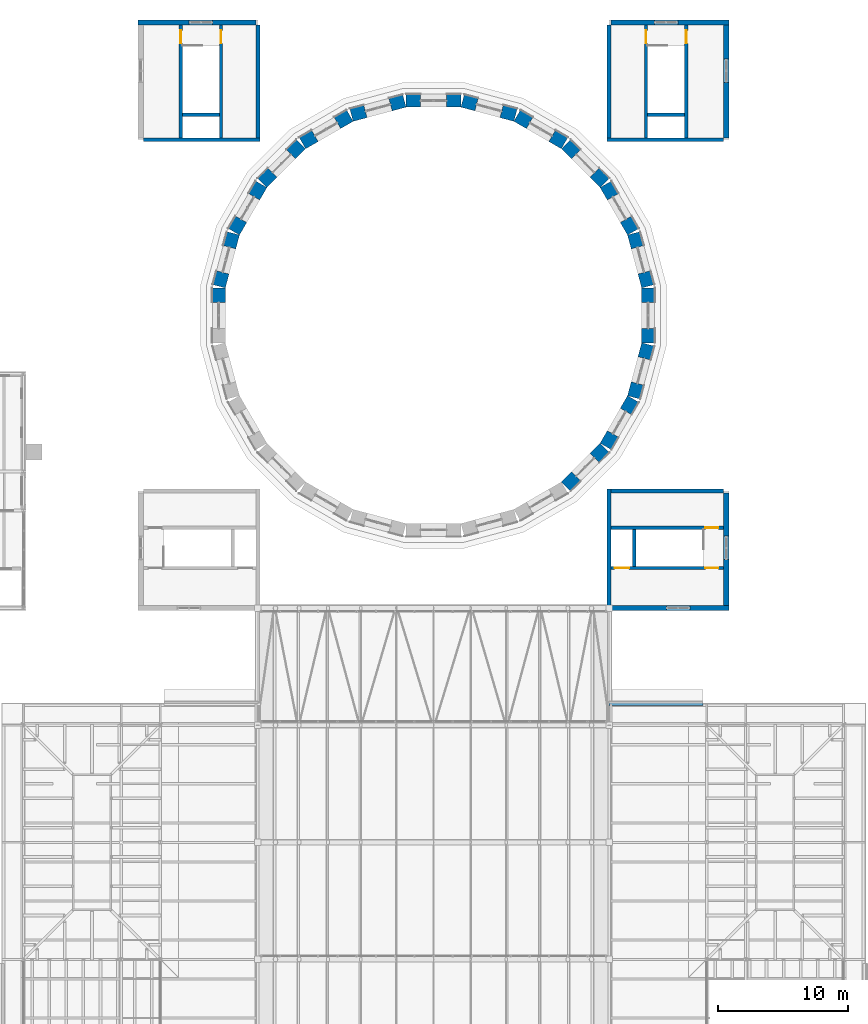
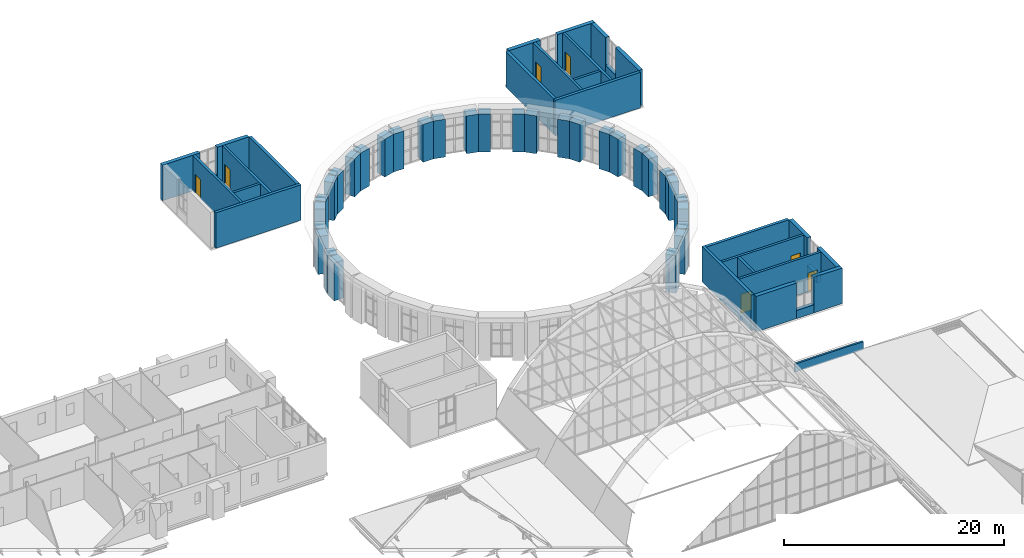
# One storey, part 96 of 121: 62 walls, 7 doors, 7 openings.
"""IFC4 building model written with IfcOpenShell, lengths in metres."""

import ifcopenshell
import ifcopenshell.guid

model = None  # the IFC model being written
_history = None  # IfcOwnerHistory: only IFC2X3 demands one
_inside = {}  # id of a spatial element -> (the spatial element, [elements in it])
_under = {}  # id of a project, library or spatial element -> (it, [spatial elements below it])
_declared = {}  # id of a project -> (the project, [libraries it declares])
_typed = {}  # id of a type object -> (the type object, [elements of that type])
_made_of = {}  # id of a material, layer set ... -> (it, [elements and type objects made of it])


def new_model(schema):
    """Start an empty IFC model of exactly this schema.

    Asked for "IFC4X3", IfcOpenShell would pick the latest addendum, in which some entities
    have other attributes; the version numbers below select the first issue.
    IFC2X3 requires an IfcOwnerHistory on every rooted entity: one is made here for all.
    """
    global model, _history
    if schema == "IFC4X3":
        model = ifcopenshell.file(schema_version=(4, 3, 0, 0))
    else:
        model = ifcopenshell.file(schema=schema)
    _inside.clear()
    _under.clear()
    _declared.clear()
    _typed.clear()
    _made_of.clear()
    _history = None
    if model.schema == "IFC2X3":
        org = make("IfcOrganization", Name="unknown")
        user = make(
            "IfcPersonAndOrganization",
            ThePerson=make("IfcPerson", FamilyName="unknown"),
            TheOrganization=org,
        )
        app = make(
            "IfcApplication",
            ApplicationDeveloper=org,
            Version="unknown",
            ApplicationFullName="unknown",
            ApplicationIdentifier="unknown",
        )
        _history = make(
            "IfcOwnerHistory",
            OwningUser=user,
            OwningApplication=app,
            ChangeAction="ADDED",
            CreationDate=0,
        )
    return model


def make(cls, **values):
    """One entity of the class cls with the attributes given. An attribute that is None is left unset."""
    return model.create_entity(
        cls, **{name: value for name, value in values.items() if value is not None}
    )


def rooted(cls, **values):
    """An entity with a GlobalId (a new one), such as an element, a storey or a relation."""
    return make(cls, GlobalId=ifcopenshell.guid.new(), OwnerHistory=_history, **values)


def si_unit(unit_type, name, prefix=None):
    """IfcSIUnit, for example si_unit("LENGTHUNIT", "METRE", prefix="MILLI")."""
    return make("IfcSIUnit", UnitType=unit_type, Prefix=prefix, Name=name)


def assignment(units):
    """IfcUnitAssignment: the units of a project."""
    return None if units is None else make("IfcUnitAssignment", Units=units)


def point(xyz):
    """IfcCartesianPoint."""
    return None if xyz is None else make("IfcCartesianPoint", Coordinates=xyz)


def direction(xyz):
    """IfcDirection."""
    return None if xyz is None else make("IfcDirection", DirectionRatios=xyz)


def frame(location, z_axis=None, x_axis=None):
    """IfcAxis2Placement3D, a coordinate frame: its origin and axes. An axis left out is left unset."""
    return make(
        "IfcAxis2Placement3D",
        Location=point(location),
        Axis=direction(z_axis),
        RefDirection=direction(x_axis),
    )


def frame_2d(location, x_axis=None):
    """IfcAxis2Placement2D, a coordinate frame in the plane: its origin and x axis."""
    return make(
        "IfcAxis2Placement2D", Location=point(location), RefDirection=direction(x_axis)
    )


def origin():
    """The frame at (0, 0, 0) with its axes left unset."""
    return frame((0.0, 0.0, 0.0))


def place(relative_to, where):
    """IfcLocalPlacement: puts the frame where relative to a parent placement (None: the world)."""
    return make(
        "IfcLocalPlacement", PlacementRelTo=relative_to, RelativePlacement=where
    )


def context(
    kind, dimensions, precision=None, world=None, true_north=None, identifier=None
):
    """IfcGeometricRepresentationContext, for example the 3D "Model" context."""
    return make(
        "IfcGeometricRepresentationContext",
        ContextIdentifier=identifier,
        ContextType=kind,
        CoordinateSpaceDimension=dimensions,
        Precision=precision,
        WorldCoordinateSystem=world,
        TrueNorth=true_north,
    )


def subcontext(parent, identifier, kind, view, scale=None):
    """IfcGeometricRepresentationSubContext, for example "Body" below "Model"."""
    return make(
        "IfcGeometricRepresentationSubContext",
        ContextIdentifier=identifier,
        ContextType=kind,
        ParentContext=parent,
        TargetScale=scale,
        TargetView=view,
    )


def project(units=None, contexts=None):
    """IfcProject with its units and contexts."""
    return rooted(
        "IfcProject",
        Name="project",
        RepresentationContexts=contexts,
        UnitsInContext=assignment(units),
    )


def spatial(cls, under=None, at=None, **own):
    """A site, building, storey or space (cls), placed at a placement, below another one or the project."""
    s = rooted(cls, ObjectPlacement=at, **own)
    if under is not None:
        _under.setdefault(under.id(), (under, []))[1].append(s)
    return s


def profile(cls, at=None, kind="AREA", **sizes):
    """A parametric profile (cls). Its sizes go by their IFC names, for example OverallWidth=200.0."""
    return make(cls, ProfileType=kind, Position=at, **sizes)


def rectangle(**sizes):
    """IfcRectangleProfileDef."""
    return profile("IfcRectangleProfileDef", **sizes)


def extrude(swept, where, along, depth):
    """IfcExtrudedAreaSolid: the profile swept, set in the frame where, extruded along a direction by depth."""
    return make(
        "IfcExtrudedAreaSolid",
        SweptArea=swept,
        Position=where,
        ExtrudedDirection=direction(along),
        Depth=depth,
    )


def shape(context_of_items, identifier, shape_type, items):
    """IfcShapeRepresentation: the items that make up one representation, for example the "Body"."""
    return make(
        "IfcShapeRepresentation",
        ContextOfItems=context_of_items,
        RepresentationIdentifier=identifier,
        RepresentationType=shape_type,
        Items=items,
    )


def material(Name=None, Category=None):
    """IfcMaterial."""
    return make("IfcMaterial", Name=Name, Category=Category)


def layer(
    of_material, thickness, ventilated=None, Name=None, Category=None, Priority=None
):
    """IfcMaterialLayer: one layer of a wall or slab, of a material (None: an air gap)."""
    return make(
        "IfcMaterialLayer",
        Material=of_material,
        LayerThickness=thickness,
        IsVentilated=ventilated,
        Name=Name,
        Category=Category,
        Priority=Priority,
    )


def layer_set(layers, Name=None):
    """IfcMaterialLayerSet."""
    return make("IfcMaterialLayerSet", MaterialLayers=layers, LayerSetName=Name)


def made_of(thing, what):
    """Note that an element or type object is made of a material, layer set ...; save() writes the relation."""
    if what is not None:
        _made_of.setdefault(what.id(), (what, []))[1].append(thing)
    return thing


def type_object(cls, material=None, **own):
    """A type object (cls), such as IfcWallType, which elements share."""
    return made_of(rooted(cls, **own), material)


def element(
    cls,
    number,
    at=None,
    inside=None,
    cuts=None,
    type_object=None,
    material=None,
    context=None,
    identifier="Body",
    shape_type=None,
    held_by="IfcProductDefinitionShape",
    body=None,
    shapes=None,
    **own,
):
    """One element of the class cls, such as IfcWall. Its Tag is "e" and its number.

    at: its placement. inside: the storey or other place that contains it. cuts: it is an
    opening in that element (IfcRelVoidsElement). A single representation is given by context,
    identifier, shape_type and body (its items); several are given by shapes. held_by: the class
    of the entity that holds the representations. save() writes the other relations.
    """
    e = rooted(cls, Tag="e%d" % number, ObjectPlacement=at, **own)
    if body is not None:
        shapes = [shape(context, identifier, shape_type, body)]
    if shapes is not None:
        e.Representation = make(held_by, Representations=shapes)
    if inside is not None:
        _inside.setdefault(inside.id(), (inside, []))[1].append(e)
    if cuts is not None:
        rooted(
            "IfcRelVoidsElement", RelatingBuildingElement=cuts, RelatedOpeningElement=e
        )
    if type_object is not None:
        _typed.setdefault(type_object.id(), (type_object, []))[1].append(e)
    return made_of(e, material)


def fill(opening, filler):
    """IfcRelFillsElement: the door or window that sits in an opening."""
    return rooted(
        "IfcRelFillsElement",
        RelatingOpeningElement=opening,
        RelatedBuildingElement=filler,
    )


def aggregate(whole, parts):
    """IfcRelAggregates: a whole, such as a stair, and the parts it consists of."""
    return rooted("IfcRelAggregates", RelatingObject=whole, RelatedObjects=parts)


def save(model, path):
    """Write the relations noted so far, then the file.

    IfcRelAggregates (storeys below a building ...), IfcRelContainedInSpatialStructure (elements
    in a storey), IfcRelDefinesByType, IfcRelAssociatesMaterial and IfcRelDeclares: one each for
    every whole, place, type object, material and project.
    """
    for whole, parts in _under.values():
        aggregate(whole, parts)
    for where, things in _inside.values():
        rooted(
            "IfcRelContainedInSpatialStructure",
            RelatedElements=things,
            RelatingStructure=where,
        )
    for kind, things in _typed.values():
        rooted("IfcRelDefinesByType", RelatedObjects=things, RelatingType=kind)
    for what, things in _made_of.values():
        rooted("IfcRelAssociatesMaterial", RelatedObjects=things, RelatingMaterial=what)
    for by, libraries in _declared.values():
        rooted("IfcRelDeclares", RelatingContext=by, RelatedDefinitions=libraries)
    model.write(path)


model = new_model("IFC4")

# Units and contexts
model_context = context("Model", 3, precision=1e-05, world=origin(), true_north=direction((0.0, 1.0)))
body_context = subcontext(model_context, "Body", "Model", "MODEL_VIEW")
ifc_project = project(units=[si_unit("LENGTHUNIT", "METRE"), si_unit("AREAUNIT", "SQUARE_METRE"), si_unit("VOLUMEUNIT", "CUBIC_METRE"), si_unit("PLANEANGLEUNIT", "RADIAN"), si_unit("MASSUNIT", "GRAM", prefix="KILO")], contexts=[model_context])

# Site, building, storey
site_placement = place(None, origin())
site = spatial("IfcSite", under=ifc_project, at=site_placement, CompositionType="ELEMENT")
building_placement = place(site_placement, origin())
building = spatial("IfcBuilding", under=site, at=building_placement, Name="Golden Quay Civic Hall", CompositionType="ELEMENT")
storey_placement = place(building_placement, frame((0.0, 0.0, 18.60009765625)))
storey = spatial("IfcBuildingStorey", under=building, at=storey_placement, Name="L04", CompositionType="ELEMENT", Elevation=18.60009765625)

# Walls
ifc_material_1 = material(Name="Brick, dark clay facing", Category="masonry")
ifc_layer_1 = layer(ifc_material_1, 0.199951171875)
ifc_layer_set_1 = layer_set([ifc_layer_1], Name="Parapet 200 x 900")
wall_type_1 = type_object("IfcWallType", Name="Parapet 200 x 900", PredefinedType="PARAPET", material=ifc_layer_set_1)
wall_1_placement = place(storey_placement, frame((99.0, 55.60009765625, 0.0), z_axis=(0.0, 0.0, 1.0), x_axis=(1.0, 0.0, 0.0)))
element("IfcWall", 1, at=wall_1_placement, inside=storey, type_object=wall_type_1, Name="Parapet 200 x 900 L04 4", PredefinedType="PARAPET", context=body_context, shape_type="SweptSolid", body=[
    extrude(rectangle(XDim=7.199951171875, YDim=0.199951171875, at=frame_2d((3.60009765625, 0.0))), origin(), (0.0, 0.0, 1.0), 0.89990234375),
])
ifc_material_2 = material(Name="Concrete C40/50", Category="concrete")
ifc_layer_2 = layer(ifc_material_2, 1.0)
ifc_layer_set_2 = layer_set([ifc_layer_2], Name="Reinforced concrete drum wall 1000, Concrete C40/50")
wall_type_2 = type_object("IfcWallType", Name="Reinforced concrete drum wall 1000", PredefinedType="SHEAR", material=ifc_layer_set_2)
for number, where, z_axis, x_axis, name in (
    (2, (101.98291015625, 87.73583984375, -0.2001953125), (0.0, 0.0, 1.0), (-0.258802254758, 0.965930325092, 0.0), "Council drum pier 1.1"),
    (3, (101.178955078125, 90.736328125, -0.2001953125), (0.0, 0.0, 1.0), (-0.258802254758, 0.965930325092, 0.0), "Council drum pier 1.2"),
    (4, (100.842529296875, 91.92578125, -0.2001953125), (0.0, 0.0, 1.0), (-0.499983483481, 0.866034939391, 0.0), "Council drum pier 2.1"),
    (5, (99.289306640625, 94.615966796875, -0.2001953125), (0.0, 0.0, 1.0), (-0.499983483481, 0.866034939391, 0.0), "Council drum pier 2.2"),
    (6, (98.65673828125, 95.677734375, -0.2001953125), (0.0, 0.0, 1.0), (-0.706996442298, 0.70721710286, 0.0), "Council drum pier 3.1"),
    (7, (96.460205078125, 97.87451171875, -0.2001953125), (0.0, 0.0, 1.0), (-0.70721710286, 0.706996442298, 0.0), "Council drum pier 3.2"),
    (8, (95.57421875, 98.736083984375, -0.2001953125), (0.0, 0.0, 1.0), (-0.866034939391, 0.499983483481, 0.0), "Council drum pier 4.1"),
    (9, (92.884033203125, 100.289306640625, -0.2001953125), (0.0, 0.0, 1.0), (-0.866034939391, 0.499983483481, 0.0), "Council drum pier 4.2"),
    (10, (91.80517578125, 100.892578125, -0.2001953125), (0.0, 0.0, 1.0), (-0.965930325092, 0.258802254758, 0.0), "Council drum pier 5.1"),
    (11, (88.8046875, 101.696533203125, -0.2001953125), (0.0, 0.0, 1.0), (-0.965930325092, 0.258802254758, 0.0), "Council drum pier 5.2"),
    (12, (87.6064453125, 102.0, -0.2001953125), (0.0, 0.0, 1.0), (-1.0, 0.0, 0.0), "Council drum pier 6.1"),
    (13, (84.5, 102.0, -0.2001953125), (0.0, 0.0, 1.0), (-1.0, 0.0, 0.0), "Council drum pier 6.2"),
    (14, (83.26416015625, 101.98291015625, -0.2001953125), (0.0, 0.0, 1.0), (-0.965930325092, -0.258802254758, 0.0), "Council drum pier 7.1"),
    (15, (80.263671875, 101.178955078125, -0.2001953125), (0.0, 0.0, 1.0), (-0.965930325092, -0.258802254758, 0.0), "Council drum pier 7.2"),
    (16, (79.07421875, 100.842529296875, -0.2001953125), (0.0, 0.0, 1.0), (-0.866034939391, -0.499983483481, 0.0), "Council drum pier 8.1"),
    (17, (76.384033203125, 99.289306640625, -0.2001953125), (0.0, 0.0, 1.0), (-0.866034939391, -0.499983483481, 0.0), "Council drum pier 8.2"),
    (18, (75.322265625, 98.65673828125, -0.2001953125), (0.0, 0.0, 1.0), (-0.70721710286, -0.706996442298, 0.0), "Council drum pier 9.1"),
    (19, (73.12548828125, 96.460205078125, -0.2001953125), (0.0, 0.0, 1.0), (-0.706996442298, -0.70721710286, 0.0), "Council drum pier 9.2"),
    (20, (72.263916015625, 95.57421875, -0.2001953125), (0.0, 0.0, 1.0), (-0.499983483481, -0.866034939391, 0.0), "Council drum pier 10.1"),
    (21, (70.710693359375, 92.884033203125, -0.2001953125), (0.0, 0.0, 1.0), (-0.499983483481, -0.866034939391, 0.0), "Council drum pier 10.2"),
    (22, (70.107421875, 91.80517578125, -0.2001953125), (0.0, 0.0, 1.0), (-0.258802254758, -0.965930325092, 0.0), "Council drum pier 11.1"),
    (23, (69.303466796875, 88.8046875, -0.2001953125), (0.0, 0.0, 1.0), (-0.258802254758, -0.965930325092, 0.0), "Council drum pier 11.2"),
    (24, (69.0, 87.6064453125, -0.2001953125), (0.0, 0.0, 1.0), (0.0, -1.0, 0.0), "Council drum pier 12.1"),
    (25, (95.677734375, 72.34326171875, -0.2001953125), (0.0, 0.0, 1.0), (0.70721710286, 0.706996442298, 0.0), "Council drum pier 21.1"),
    (26, (97.87451171875, 74.539794921875, -0.2001953125), (0.0, 0.0, 1.0), (0.706996442298, 0.70721710286, 0.0), "Council drum pier 21.2"),
    (27, (98.736083984375, 75.42578125, -0.2001953125), (0.0, 0.0, 1.0), (0.499983483481, 0.866034939391, 0.0), "Council drum pier 22.1"),
    (28, (100.289306640625, 78.115966796875, -0.2001953125), (0.0, 0.0, 1.0), (0.499983483481, 0.866034939391, 0.0), "Council drum pier 22.2"),
    (29, (100.892578125, 79.19482421875, -0.2001953125), (0.0, 0.0, 1.0), (0.258802254758, 0.965930325092, 0.0), "Council drum pier 23.1"),
    (30, (101.696533203125, 82.1953125, -0.2001953125), (0.0, 0.0, 1.0), (0.258802254758, 0.965930325092, 0.0), "Council drum pier 23.2"),
    (31, (102.0, 83.3935546875, -0.2001953125), (0.0, 0.0, 1.0), (0.0, 1.0, 0.0), "Council drum pier 24.1"),
    (32, (102.0, 86.5, -0.2001953125), (0.0, 0.0, 1.0), (0.0, 1.0, 0.0), "Council drum pier 24.2"),
):
    element("IfcWall", number, at=place(storey_placement, frame(where, z_axis=z_axis, x_axis=x_axis)), inside=storey, type_object=wall_type_2, Name=name, PredefinedType="SHEAR", context=body_context, shape_type="SweptSolid", body=[
        extrude(rectangle(XDim=1.1064453125, YDim=1.0, at=frame_2d((0.55322265625, 0.0))), origin(), (0.0, 0.0, 1.0), 4.2001953125),
    ])
ifc_material_3 = material(Name="Concrete C40/50", Category="concrete")
ifc_layer_3 = layer(ifc_material_3, 0.300048828125)
ifc_layer_set_3 = layer_set([ifc_layer_3], Name="Reinforced concrete pocket wall 300, Concrete C40/50")
wall_type_3 = type_object("IfcWallType", Name="Reinforced concrete pocket wall 300", PredefinedType="SHEAR", material=ifc_layer_set_3)
wall_2_placement = place(storey_placement, frame((99.0, 63.199951171875, 0.0), z_axis=(0.0, 0.0, 1.0), x_axis=(0.0, 1.0, 0.0)))
element("IfcWall", 33, at=wall_2_placement, inside=storey, type_object=wall_type_3, Name="Core wall SE A", PredefinedType="SHEAR", context=body_context, shape_type="SweptSolid", body=[
    extrude(rectangle(XDim=8.949951171875, YDim=0.300048828125, at=frame_2d((4.47509765625, 0.0))), origin(), (0.0, 0.0, 1.0), 3.949951171875),
])
wall_3_placement = place(storey_placement, frame((107.800048828125, 72.0, 0.0), z_axis=(0.0, 0.0, 1.0), x_axis=(-1.0, 0.0, 0.0)))
element("IfcWall", 34, at=wall_3_placement, inside=storey, type_object=wall_type_3, Name="Core wall SE B", PredefinedType="SHEAR", context=body_context, shape_type="SweptSolid", body=[
    extrude(rectangle(XDim=8.650146484375, YDim=0.300048828125, at=frame_2d((4.3251953125, 0.0))), origin(), (0.0, 0.0, 1.0), 3.949951171875),
])
wall_4_placement = place(storey_placement, frame((63.199951171875, 99.0, 0.0), z_axis=(0.0, 0.0, 1.0), x_axis=(1.0, 0.0, 0.0)))
element("IfcWall", 35, at=wall_4_placement, inside=storey, type_object=wall_type_3, Name="Core wall NW A", PredefinedType="SHEAR", context=body_context, shape_type="SweptSolid", body=[
    extrude(rectangle(XDim=8.949951171875, YDim=0.300048828125, at=frame_2d((4.47509765625, 0.0))), origin(), (0.0, 0.0, 1.0), 3.949951171875),
])
wall_5_placement = place(storey_placement, frame((72.0, 107.800048828125, 0.0), z_axis=(0.0, 0.0, 1.0), x_axis=(0.0, -1.0, 0.0)))
element("IfcWall", 36, at=wall_5_placement, inside=storey, type_object=wall_type_3, Name="Core wall NW B", PredefinedType="SHEAR", context=body_context, shape_type="SweptSolid", body=[
    extrude(rectangle(XDim=8.650146484375, YDim=0.300048828125, at=frame_2d((4.3251953125, 0.0))), origin(), (0.0, 0.0, 1.0), 3.949951171875),
])
wall_6_placement = place(storey_placement, frame((107.800048828125, 99.0, 0.0), z_axis=(0.0, 0.0, 1.0), x_axis=(-1.0, 0.0, 0.0)))
element("IfcWall", 37, at=wall_6_placement, inside=storey, type_object=wall_type_3, Name="Core wall NE A", PredefinedType="SHEAR", context=body_context, shape_type="SweptSolid", body=[
    extrude(rectangle(XDim=8.949951171875, YDim=0.300048828125, at=frame_2d((4.47509765625, 0.0))), origin(), (0.0, 0.0, 1.0), 3.949951171875),
])
wall_7_placement = place(storey_placement, frame((99.0, 107.800048828125, 0.0), z_axis=(0.0, 0.0, 1.0), x_axis=(0.0, -1.0, 0.0)))
element("IfcWall", 38, at=wall_7_placement, inside=storey, type_object=wall_type_3, Name="Core wall NE B", PredefinedType="SHEAR", context=body_context, shape_type="SweptSolid", body=[
    extrude(rectangle(XDim=8.650146484375, YDim=0.300048828125, at=frame_2d((4.3251953125, 0.0))), origin(), (0.0, 0.0, 1.0), 3.949951171875),
])

# Wall, openings, doors
ifc_material_4 = material(Name="Concrete C40/50", Category="concrete")
ifc_layer_4 = layer(ifc_material_4, 0.25)
ifc_layer_set_4 = layer_set([ifc_layer_4], Name="Reinforced concrete shaft wall 250, Concrete C40/50")
wall_type_4 = type_object("IfcWallType", Name="Reinforced concrete shaft wall 250", PredefinedType="SHEAR", material=ifc_layer_set_4)
wall_8_placement = place(storey_placement, frame((107.800048828125, 66.074951171875, 0.0), z_axis=(0.0, 0.0, 1.0), x_axis=(-1.0, 0.0, 0.0)))
wall_8 = element("IfcWall", 39, at=wall_8_placement, inside=storey, type_object=wall_type_4, Name="Shaft wall SE 1", PredefinedType="SHEAR", context=body_context, shape_type="SweptSolid", body=[
    extrude(rectangle(XDim=8.650146484375, YDim=0.25, at=frame_2d((4.3251953125, 0.0))), origin(), (0.0, 0.0, 1.0), 3.949951171875),
])
opening_1_placement = place(wall_8_placement, frame((0.39990234375, 0.0, 0.0)))
opening_1 = element("IfcOpeningElement", 40, at=opening_1_placement, cuts=wall_8, Name="Opening L04-D064", PredefinedType="OPENING", context=body_context, shape_type="SweptSolid", body=[
    extrude(rectangle(XDim=1.0, YDim=2.10009765625, at=frame_2d((0.5, 1.050048828125))), frame((0.0, 0.135009765625, 0.0), z_axis=(0.0, -1.0, 0.0), x_axis=(1.0, 0.0, 0.0)), (0.0, 0.0, 1.0), 0.27001953125),
])
opening_2_placement = place(wall_8_placement, frame((7.27490234375, 0.0, 0.0)))
opening_2 = element("IfcOpeningElement", 41, at=opening_2_placement, cuts=wall_8, Name="Opening L04-D066", PredefinedType="OPENING", context=body_context, shape_type="SweptSolid", body=[
    extrude(rectangle(XDim=1.10009765625, YDim=2.10009765625, at=frame_2d((0.550048828125, 1.050048828125))), frame((0.0, 0.135009765625, 0.0), z_axis=(0.0, -1.0, 0.0), x_axis=(1.0, 0.0, 0.0)), (0.0, 0.0, 1.0), 0.27001953125),
])
ifc_material_5 = material(Name="Steel", Category="steel")
door_type_1 = type_object("IfcDoorType", Name="Lift landing door 1100 x 2100", OperationType="SLIDING_TO_LEFT", PredefinedType="DOOR", material=ifc_material_5)
door_1_placement = place(opening_2_placement, origin())
door_1 = element("IfcDoor", 42, at=door_1_placement, inside=storey, type_object=door_type_1, Name="Lift SE landing door", OperationType="SLIDING_TO_LEFT", OverallHeight=2.10009765625, OverallWidth=1.10009765625, PredefinedType="DOOR", context=body_context, shape_type="SweptSolid", body=[
    extrude(rectangle(XDim=1.10009765625, YDim=2.10009765625, at=frame_2d((0.550048828125, 1.050048828125))), frame((0.0, 0.02490234375, 0.0), z_axis=(0.0, -1.0, 0.0), x_axis=(1.0, 0.0, 0.0)), (0.0, 0.0, 1.0), 0.050048828125),
])
fill(opening_2, door_1)
ifc_material_6 = material(Name="Steel", Category="steel")
door_type_2 = type_object("IfcDoorType", Name="Steel fire door FD60 1100 x 2100", OperationType="SINGLE_SWING_LEFT", PredefinedType="DOOR", material=ifc_material_6)
door_2_placement = place(opening_1_placement, frame((1.0, 0.0, 0.0), z_axis=(0.0, 0.0, 1.0), x_axis=(-1.0, 0.0, 0.0)))
door_2 = element("IfcDoor", 43, at=door_2_placement, inside=storey, type_object=door_type_2, Name="Stair door SE", OperationType="SINGLE_SWING_RIGHT", OverallHeight=2.10009765625, OverallWidth=1.0, PredefinedType="DOOR", context=body_context, shape_type="SweptSolid", body=[
    extrude(rectangle(XDim=1.0, YDim=2.10009765625, at=frame_2d((0.5, 1.050048828125))), frame((0.0, 0.025146484375, 0.0), z_axis=(0.0, -1.0, 0.0), x_axis=(1.0, 0.0, 0.0)), (0.0, 0.0, 1.0), 0.050048828125),
])
fill(opening_1, door_2)

# Wall, opening, door
wall_9_placement = place(storey_placement, frame((107.800048828125, 69.175048828125, 0.0), z_axis=(0.0, 0.0, 1.0), x_axis=(-1.0, 0.0, 0.0)))
wall_9 = element("IfcWall", 44, at=wall_9_placement, inside=storey, type_object=wall_type_4, Name="Shaft wall SE 2", PredefinedType="SHEAR", context=body_context, shape_type="SweptSolid", body=[
    extrude(rectangle(XDim=8.650146484375, YDim=0.25, at=frame_2d((4.3251953125, 0.0))), origin(), (0.0, 0.0, 1.0), 3.949951171875),
])
opening_3_placement = place(wall_9_placement, frame((0.39990234375, 0.0, 0.0)))
opening_3 = element("IfcOpeningElement", 45, at=opening_3_placement, cuts=wall_9, Name="Opening L04-D065", PredefinedType="OPENING", context=body_context, shape_type="SweptSolid", body=[
    extrude(rectangle(XDim=1.0, YDim=2.10009765625, at=frame_2d((0.5, 1.050048828125))), frame((0.0, 0.135009765625, 0.0), z_axis=(0.0, -1.0, 0.0), x_axis=(1.0, 0.0, 0.0)), (0.0, 0.0, 1.0), 0.27001953125),
])
door_3_placement = place(opening_3_placement, origin())
door_3 = element("IfcDoor", 46, at=door_3_placement, inside=storey, type_object=door_type_2, Name="Stair door SE north", OperationType="SINGLE_SWING_LEFT", OverallHeight=2.10009765625, OverallWidth=1.0, PredefinedType="DOOR", context=body_context, shape_type="SweptSolid", body=[
    extrude(rectangle(XDim=1.0, YDim=2.10009765625, at=frame_2d((0.5, 1.050048828125))), frame((0.0, 0.02490234375, 0.0), z_axis=(0.0, -1.0, 0.0), x_axis=(1.0, 0.0, 0.0)), (0.0, 0.0, 1.0), 0.050048828125),
])
fill(opening_3, door_3)

# Wall
wall_10_placement = place(storey_placement, frame((100.925048828125, 66.199951171875, 0.0), z_axis=(0.0, 0.0, 1.0), x_axis=(0.0, 1.0, 0.0)))
element("IfcWall", 47, at=wall_10_placement, inside=storey, type_object=wall_type_4, Name="Shaft wall SE 3", PredefinedType="SHEAR", context=body_context, shape_type="SweptSolid", body=[
    extrude(rectangle(XDim=2.85009765625, YDim=0.25, at=frame_2d((1.425048828125, 0.0))), origin(), (0.0, 0.0, 1.0), 3.949951171875),
])

# Wall, opening, door
wall_11_placement = place(storey_placement, frame((66.074951171875, 107.800048828125, 0.0), z_axis=(0.0, 0.0, 1.0), x_axis=(0.0, -1.0, 0.0)))
wall_11 = element("IfcWall", 48, at=wall_11_placement, inside=storey, type_object=wall_type_4, Name="Shaft wall NW 1", PredefinedType="SHEAR", context=body_context, shape_type="SweptSolid", body=[
    extrude(rectangle(XDim=8.650146484375, YDim=0.25, at=frame_2d((4.3251953125, 0.0))), origin(), (0.0, 0.0, 1.0), 3.949951171875),
])
opening_4_placement = place(wall_11_placement, frame((0.39990234375, 0.0, 0.0)))
opening_4 = element("IfcOpeningElement", 49, at=opening_4_placement, cuts=wall_11, Name="Opening L04-D067", PredefinedType="OPENING", context=body_context, shape_type="SweptSolid", body=[
    extrude(rectangle(XDim=1.0, YDim=2.10009765625, at=frame_2d((0.5, 1.050048828125))), frame((0.0, 0.135009765625, 0.0), z_axis=(0.0, -1.0, 0.0), x_axis=(1.0, 0.0, 0.0)), (0.0, 0.0, 1.0), 0.27001953125),
])
door_4_placement = place(opening_4_placement, origin())
door_4 = element("IfcDoor", 50, at=door_4_placement, inside=storey, type_object=door_type_2, Name="Stair door NW", OperationType="SINGLE_SWING_LEFT", OverallHeight=2.10009765625, OverallWidth=1.0, PredefinedType="DOOR", context=body_context, shape_type="SweptSolid", body=[
    extrude(rectangle(XDim=1.0, YDim=2.10009765625, at=frame_2d((0.5, 1.050048828125))), frame((0.0, 0.02490234375, 0.0), z_axis=(0.0, -1.0, 0.0), x_axis=(1.0, 0.0, 0.0)), (0.0, 0.0, 1.0), 0.050048828125),
])
fill(opening_4, door_4)

wall_12_placement = place(storey_placement, frame((69.175048828125, 107.800048828125, 0.0), z_axis=(0.0, 0.0, 1.0), x_axis=(0.0, -1.0, 0.0)))
wall_12 = element("IfcWall", 51, at=wall_12_placement, inside=storey, type_object=wall_type_4, Name="Shaft wall NW 2", PredefinedType="SHEAR", context=body_context, shape_type="SweptSolid", body=[
    extrude(rectangle(XDim=8.650146484375, YDim=0.25, at=frame_2d((4.3251953125, 0.0))), origin(), (0.0, 0.0, 1.0), 3.949951171875),
])
opening_5_placement = place(wall_12_placement, frame((0.39990234375, 0.0, 0.0)))
opening_5 = element("IfcOpeningElement", 52, at=opening_5_placement, cuts=wall_12, Name="Opening L04-D068", PredefinedType="OPENING", context=body_context, shape_type="SweptSolid", body=[
    extrude(rectangle(XDim=1.0, YDim=2.10009765625, at=frame_2d((0.5, 1.050048828125))), frame((0.0, 0.135009765625, 0.0), z_axis=(0.0, -1.0, 0.0), x_axis=(1.0, 0.0, 0.0)), (0.0, 0.0, 1.0), 0.27001953125),
])
door_5_placement = place(opening_5_placement, frame((1.0, 0.0, 0.0), z_axis=(0.0, 0.0, 1.0), x_axis=(-1.0, 0.0, 0.0)))
door_5 = element("IfcDoor", 53, at=door_5_placement, inside=storey, type_object=door_type_2, Name="Stair door NW north", OperationType="SINGLE_SWING_RIGHT", OverallHeight=2.10009765625, OverallWidth=1.0, PredefinedType="DOOR", context=body_context, shape_type="SweptSolid", body=[
    extrude(rectangle(XDim=1.0, YDim=2.10009765625, at=frame_2d((0.5, 1.050048828125))), frame((0.0, 0.025146484375, 0.0), z_axis=(0.0, -1.0, 0.0), x_axis=(1.0, 0.0, 0.0)), (0.0, 0.0, 1.0), 0.050048828125),
])
fill(opening_5, door_5)

# Wall
wall_13_placement = place(storey_placement, frame((66.199951171875, 100.925048828125, 0.0), z_axis=(0.0, 0.0, 1.0), x_axis=(1.0, 0.0, 0.0)))
element("IfcWall", 54, at=wall_13_placement, inside=storey, type_object=wall_type_4, Name="Shaft wall NW 3", PredefinedType="SHEAR", context=body_context, shape_type="SweptSolid", body=[
    extrude(rectangle(XDim=2.85009765625, YDim=0.25, at=frame_2d((1.425048828125, 0.0))), origin(), (0.0, 0.0, 1.0), 3.949951171875),
])

# Wall, opening, door
wall_14_placement = place(storey_placement, frame((104.925048828125, 107.800048828125, 0.0), z_axis=(0.0, 0.0, 1.0), x_axis=(0.0, -1.0, 0.0)))
wall_14 = element("IfcWall", 55, at=wall_14_placement, inside=storey, type_object=wall_type_4, Name="Shaft wall NE 1", PredefinedType="SHEAR", context=body_context, shape_type="SweptSolid", body=[
    extrude(rectangle(XDim=8.650146484375, YDim=0.25, at=frame_2d((4.3251953125, 0.0))), origin(), (0.0, 0.0, 1.0), 3.949951171875),
])
opening_6_placement = place(wall_14_placement, frame((0.39990234375, 0.0, 0.0)))
opening_6 = element("IfcOpeningElement", 56, at=opening_6_placement, cuts=wall_14, Name="Opening L04-D069", PredefinedType="OPENING", context=body_context, shape_type="SweptSolid", body=[
    extrude(rectangle(XDim=1.0, YDim=2.10009765625, at=frame_2d((0.5, 1.050048828125))), frame((0.0, 0.135009765625, 0.0), z_axis=(0.0, -1.0, 0.0), x_axis=(1.0, 0.0, 0.0)), (0.0, 0.0, 1.0), 0.27001953125),
])
door_6_placement = place(opening_6_placement, frame((1.0, 0.0, 0.0), z_axis=(0.0, 0.0, 1.0), x_axis=(-1.0, 0.0, 0.0)))
door_6 = element("IfcDoor", 57, at=door_6_placement, inside=storey, type_object=door_type_2, Name="Stair door NE", OperationType="SINGLE_SWING_RIGHT", OverallHeight=2.10009765625, OverallWidth=1.0, PredefinedType="DOOR", context=body_context, shape_type="SweptSolid", body=[
    extrude(rectangle(XDim=1.0, YDim=2.10009765625, at=frame_2d((0.5, 1.050048828125))), frame((0.0, 0.025146484375, 0.0), z_axis=(0.0, -1.0, 0.0), x_axis=(1.0, 0.0, 0.0)), (0.0, 0.0, 1.0), 0.050048828125),
])
fill(opening_6, door_6)

wall_15_placement = place(storey_placement, frame((101.824951171875, 107.800048828125, 0.0), z_axis=(0.0, 0.0, 1.0), x_axis=(0.0, -1.0, 0.0)))
wall_15 = element("IfcWall", 58, at=wall_15_placement, inside=storey, type_object=wall_type_4, Name="Shaft wall NE 2", PredefinedType="SHEAR", context=body_context, shape_type="SweptSolid", body=[
    extrude(rectangle(XDim=8.650146484375, YDim=0.25, at=frame_2d((4.3251953125, 0.0))), origin(), (0.0, 0.0, 1.0), 3.949951171875),
])
opening_7_placement = place(wall_15_placement, frame((0.39990234375, 0.0, 0.0)))
opening_7 = element("IfcOpeningElement", 59, at=opening_7_placement, cuts=wall_15, Name="Opening L04-D070", PredefinedType="OPENING", context=body_context, shape_type="SweptSolid", body=[
    extrude(rectangle(XDim=1.0, YDim=2.10009765625, at=frame_2d((0.5, 1.050048828125))), frame((0.0, 0.135009765625, 0.0), z_axis=(0.0, -1.0, 0.0), x_axis=(1.0, 0.0, 0.0)), (0.0, 0.0, 1.0), 0.27001953125),
])
door_7_placement = place(opening_7_placement, origin())
door_7 = element("IfcDoor", 60, at=door_7_placement, inside=storey, type_object=door_type_2, Name="Stair door NE north", OperationType="SINGLE_SWING_LEFT", OverallHeight=2.10009765625, OverallWidth=1.0, PredefinedType="DOOR", context=body_context, shape_type="SweptSolid", body=[
    extrude(rectangle(XDim=1.0, YDim=2.10009765625, at=frame_2d((0.5, 1.050048828125))), frame((0.0, 0.02490234375, 0.0), z_axis=(0.0, -1.0, 0.0), x_axis=(1.0, 0.0, 0.0)), (0.0, 0.0, 1.0), 0.050048828125),
])
fill(opening_7, door_7)

# Walls
wall_16_placement = place(storey_placement, frame((104.800048828125, 100.925048828125, 0.0), z_axis=(0.0, 0.0, 1.0), x_axis=(-1.0, 0.0, 0.0)))
element("IfcWall", 61, at=wall_16_placement, inside=storey, type_object=wall_type_4, Name="Shaft wall NE 3", PredefinedType="SHEAR", context=body_context, shape_type="SweptSolid", body=[
    extrude(rectangle(XDim=2.85009765625, YDim=0.25, at=frame_2d((1.425048828125, 0.0))), origin(), (0.0, 0.0, 1.0), 3.949951171875),
])
ifc_material_7 = material(Name="Brick masonry with render", Category="masonry")
ifc_layer_5 = layer(ifc_material_7, 0.39990234375)
ifc_layer_set_5 = layer_set([ifc_layer_5], Name="Rendered brick external wall 400 fire EI 120")
wall_type_5 = type_object("IfcWallType", Name="Rendered brick external wall 400 fire EI 120", PredefinedType="STANDARD", material=ifc_layer_set_5)
wall_17_placement = place(storey_placement, frame((99.14990234375, 63.0, 0.0), z_axis=(0.0, 0.0, 1.0), x_axis=(1.0, 0.0, 0.0)))
element("IfcWall", 62, at=wall_17_placement, inside=storey, type_object=wall_type_5, Name="Pocket wall SE 1", PredefinedType="STANDARD", context=body_context, shape_type="SweptSolid", body=[
    extrude(rectangle(XDim=4.25, YDim=0.39990234375, at=frame_2d((2.125, 0.0))), origin(), (0.0, 0.0, 1.0), 3.949951171875),
])
wall_18_placement = place(storey_placement, frame((105.199951171875, 63.0, 0.0), z_axis=(0.0, 0.0, 1.0), x_axis=(1.0, 0.0, 0.0)))
element("IfcWall", 63, at=wall_18_placement, inside=storey, type_object=wall_type_5, Name="Pocket wall SE 1 (beyond the bay)", PredefinedType="STANDARD", context=body_context, shape_type="SweptSolid", body=[
    extrude(rectangle(XDim=3.0, YDim=0.39990234375, at=frame_2d((1.5, 0.0))), origin(), (0.0, 0.0, 1.0), 3.949951171875),
])
wall_19_placement = place(storey_placement, frame((103.39990234375, 63.0, 0.0), z_axis=(0.0, 0.0, 1.0), x_axis=(1.0, 0.0, 0.0)))
element("IfcWall", 64, at=wall_19_placement, inside=storey, type_object=wall_type_5, Name="Pocket wall SE 1 sill", PredefinedType="STANDARD", context=body_context, shape_type="SweptSolid", body=[
    extrude(rectangle(XDim=1.800048828125, YDim=0.39990234375, at=frame_2d((0.89990234375, 0.0))), origin(), (0.0, 0.0, 1.0), 0.89990234375),
])
wall_20_placement = place(storey_placement, frame((108.0, 63.199951171875, 0.0), z_axis=(0.0, 0.0, 1.0), x_axis=(0.0, 1.0, 0.0)))
element("IfcWall", 65, at=wall_20_placement, inside=storey, type_object=wall_type_5, Name="Pocket wall SE 2", PredefinedType="STANDARD", context=body_context, shape_type="SweptSolid", body=[
    extrude(rectangle(XDim=3.525146484375, YDim=0.39990234375, at=frame_2d((1.7626953125, 0.0))), origin(), (0.0, 0.0, 1.0), 3.949951171875),
])
wall_21_placement = place(storey_placement, frame((108.0, 68.52490234375, 0.0), z_axis=(0.0, 0.0, 1.0), x_axis=(0.0, 1.0, 0.0)))
element("IfcWall", 66, at=wall_21_placement, inside=storey, type_object=wall_type_5, Name="Pocket wall SE 2 (beyond the bay)", PredefinedType="STANDARD", context=body_context, shape_type="SweptSolid", body=[
    extrude(rectangle(XDim=3.3251953125, YDim=0.39990234375, at=frame_2d((1.66259765625, 0.0))), origin(), (0.0, 0.0, 1.0), 3.949951171875),
])
wall_22_placement = place(storey_placement, frame((108.0, 66.72509765625, 0.0), z_axis=(0.0, 0.0, 1.0), x_axis=(0.0, 1.0, 0.0)))
element("IfcWall", 67, at=wall_22_placement, inside=storey, type_object=wall_type_5, Name="Pocket wall SE 2 sill", PredefinedType="STANDARD", context=body_context, shape_type="SweptSolid", body=[
    extrude(rectangle(XDim=1.7998046875, YDim=0.39990234375, at=frame_2d((0.89990234375, 0.0))), origin(), (0.0, 0.0, 1.0), 0.89990234375),
])
wall_23_placement = place(storey_placement, frame((62.800048828125, 108.0, 0.0), z_axis=(0.0, 0.0, 1.0), x_axis=(1.0, 0.0, 0.0)))
element("IfcWall", 68, at=wall_23_placement, inside=storey, type_object=wall_type_5, Name="Pocket wall NW 1", PredefinedType="STANDARD", context=body_context, shape_type="SweptSolid", body=[
    extrude(rectangle(XDim=3.925048828125, YDim=0.39990234375, at=frame_2d((1.96240234375, 0.0))), origin(), (0.0, 0.0, 1.0), 3.949951171875),
])
wall_24_placement = place(storey_placement, frame((68.52490234375, 108.0, 0.0), z_axis=(0.0, 0.0, 1.0), x_axis=(1.0, 0.0, 0.0)))
element("IfcWall", 69, at=wall_24_placement, inside=storey, type_object=wall_type_5, Name="Pocket wall NW 1 (beyond the bay)", PredefinedType="STANDARD", context=body_context, shape_type="SweptSolid", body=[
    extrude(rectangle(XDim=3.3251953125, YDim=0.39990234375, at=frame_2d((1.66259765625, 0.0))), origin(), (0.0, 0.0, 1.0), 3.949951171875),
])
wall_25_placement = place(storey_placement, frame((66.72509765625, 108.0, 0.0), z_axis=(0.0, 0.0, 1.0), x_axis=(1.0, 0.0, 0.0)))
element("IfcWall", 70, at=wall_25_placement, inside=storey, type_object=wall_type_5, Name="Pocket wall NW 1 sill", PredefinedType="STANDARD", context=body_context, shape_type="SweptSolid", body=[
    extrude(rectangle(XDim=1.7998046875, YDim=0.39990234375, at=frame_2d((0.89990234375, 0.0))), origin(), (0.0, 0.0, 1.0), 0.89990234375),
])
wall_26_placement = place(storey_placement, frame((99.14990234375, 108.0, 0.0), z_axis=(0.0, 0.0, 1.0), x_axis=(1.0, 0.0, 0.0)))
element("IfcWall", 71, at=wall_26_placement, inside=storey, type_object=wall_type_5, Name="Pocket wall NE 1", PredefinedType="STANDARD", context=body_context, shape_type="SweptSolid", body=[
    extrude(rectangle(XDim=3.3251953125, YDim=0.39990234375, at=frame_2d((1.66259765625, 0.0))), origin(), (0.0, 0.0, 1.0), 3.949951171875),
])
wall_27_placement = place(storey_placement, frame((104.27490234375, 108.0, 0.0), z_axis=(0.0, 0.0, 1.0), x_axis=(1.0, 0.0, 0.0)))
element("IfcWall", 72, at=wall_27_placement, inside=storey, type_object=wall_type_5, Name="Pocket wall NE 1 (beyond the bay)", PredefinedType="STANDARD", context=body_context, shape_type="SweptSolid", body=[
    extrude(rectangle(XDim=3.925048828125, YDim=0.39990234375, at=frame_2d((1.96240234375, 0.0))), origin(), (0.0, 0.0, 1.0), 3.949951171875),
])
wall_28_placement = place(storey_placement, frame((102.47509765625, 108.0, 0.0), z_axis=(0.0, 0.0, 1.0), x_axis=(1.0, 0.0, 0.0)))
element("IfcWall", 73, at=wall_28_placement, inside=storey, type_object=wall_type_5, Name="Pocket wall NE 1 sill", PredefinedType="STANDARD", context=body_context, shape_type="SweptSolid", body=[
    extrude(rectangle(XDim=1.7998046875, YDim=0.39990234375, at=frame_2d((0.89990234375, 0.0))), origin(), (0.0, 0.0, 1.0), 0.89990234375),
])
wall_29_placement = place(storey_placement, frame((108.0, 99.14990234375, 0.0), z_axis=(0.0, 0.0, 1.0), x_axis=(0.0, 1.0, 0.0)))
element("IfcWall", 74, at=wall_29_placement, inside=storey, type_object=wall_type_5, Name="Pocket wall NE 2", PredefinedType="STANDARD", context=body_context, shape_type="SweptSolid", body=[
    extrude(rectangle(XDim=4.25, YDim=0.39990234375, at=frame_2d((2.125, 0.0))), origin(), (0.0, 0.0, 1.0), 3.949951171875),
])
wall_30_placement = place(storey_placement, frame((108.0, 105.199951171875, 0.0), z_axis=(0.0, 0.0, 1.0), x_axis=(0.0, 1.0, 0.0)))
element("IfcWall", 75, at=wall_30_placement, inside=storey, type_object=wall_type_5, Name="Pocket wall NE 2 (beyond the bay)", PredefinedType="STANDARD", context=body_context, shape_type="SweptSolid", body=[
    extrude(rectangle(XDim=2.60009765625, YDim=0.39990234375, at=frame_2d((1.300048828125, 0.0))), origin(), (0.0, 0.0, 1.0), 3.949951171875),
])
wall_31_placement = place(storey_placement, frame((108.0, 103.39990234375, 0.0), z_axis=(0.0, 0.0, 1.0), x_axis=(0.0, 1.0, 0.0)))
element("IfcWall", 76, at=wall_31_placement, inside=storey, type_object=wall_type_5, Name="Pocket wall NE 2 sill", PredefinedType="STANDARD", context=body_context, shape_type="SweptSolid", body=[
    extrude(rectangle(XDim=1.800048828125, YDim=0.39990234375, at=frame_2d((0.89990234375, 0.0))), origin(), (0.0, 0.0, 1.0), 0.89990234375),
])

save(model, "model.ifc")
